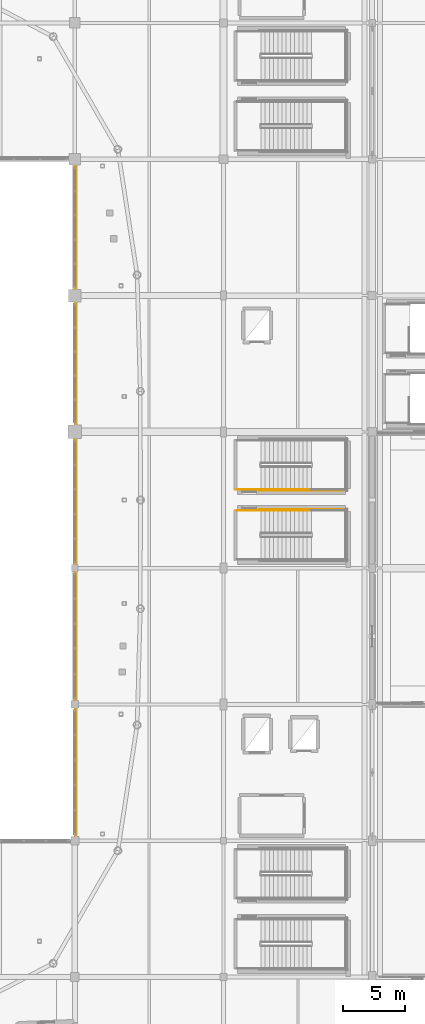
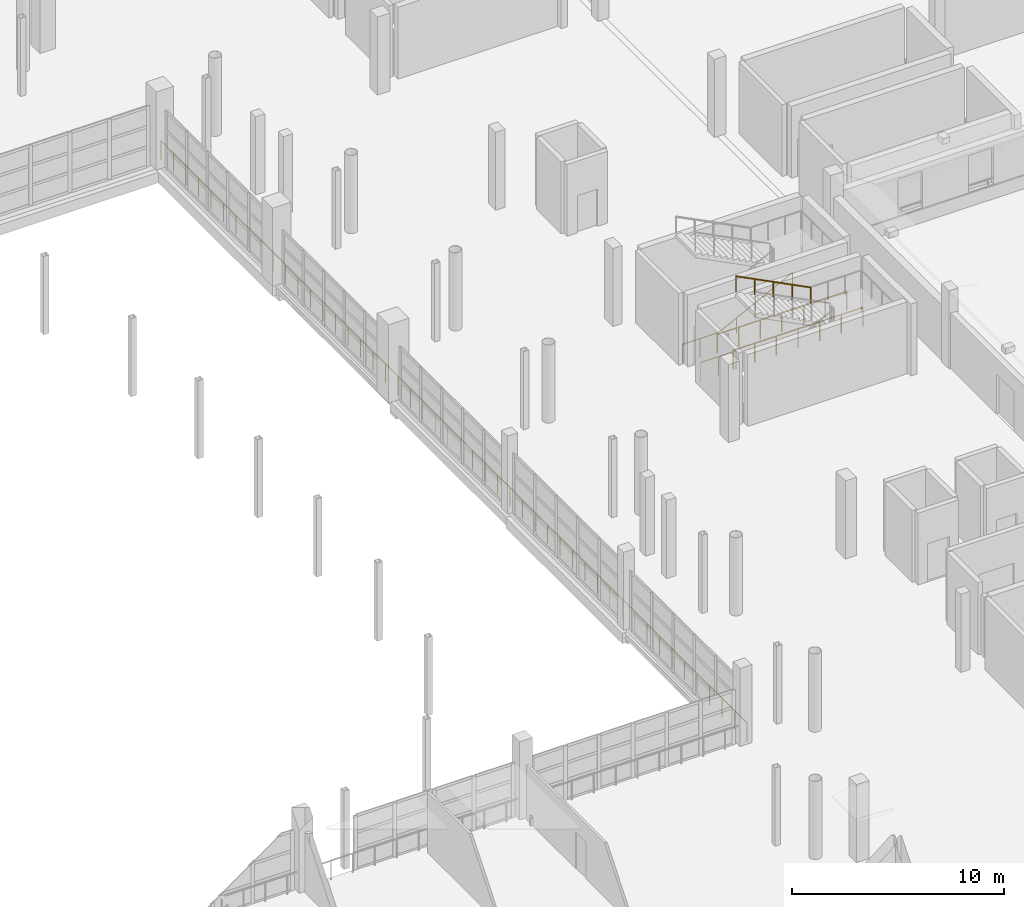
# One storey, part 112 of 118: 7 railings.
"""IFC4 building model written with IfcOpenShell, lengths in metres."""

from ifc_helpers import new_model, si_unit, direction, frame, origin, origin_2d, place, context, subcontext, project, spatial, circle, extrude, material, type_object, element, save


model = new_model("IFC4")

# Units and contexts
model_context = context("Model", 3, precision=1e-05, world=origin(), true_north=direction((0.0, 1.0)))
body_context = subcontext(model_context, "Body", "Model", "MODEL_VIEW")
ifc_project = project(units=[si_unit("LENGTHUNIT", "METRE"), si_unit("AREAUNIT", "SQUARE_METRE"), si_unit("VOLUMEUNIT", "CUBIC_METRE"), si_unit("PLANEANGLEUNIT", "RADIAN"), si_unit("MASSUNIT", "GRAM", prefix="KILO")], contexts=[model_context])

# Site, building, storey
site_placement = place(None, origin())
site = spatial("IfcSite", under=ifc_project, at=site_placement, CompositionType="ELEMENT")
building_placement = place(site_placement, origin())
building = spatial("IfcBuilding", under=site, at=building_placement, Name="Luwafu Chhajja Arena", CompositionType="ELEMENT")
storey_placement = place(building_placement, frame((0.0, 0.0, 10.199951171875)))
storey = spatial("IfcBuildingStorey", under=building, at=storey_placement, Name="L02", CompositionType="ELEMENT", Elevation=10.199951171875)

# Railings
ifc_material_1 = material(Name="Stainless steel balustrade", Category="steel")
railing_type_1 = type_object("IfcRailingType", Name="Seating Bowl Sightline Barrier 1100", PredefinedType="BALUSTRADE", material=ifc_material_1)
railing_1_placement = place(storey_placement, frame((140.14990234375, 21.85009765625, 0.0)))
element("IfcRailing", 1, at=railing_1_placement, inside=storey, type_object=railing_type_1, Name="L02 Bowl Rim Guard 0033", PredefinedType="BALUSTRADE", context=body_context, shape_type="SweptSolid", body=[
    extrude(circle(Radius=0.02392578125, at=origin_2d()), frame((0.0, 0.0, 1.09619140625), z_axis=(0.0, 1.0, 0.0), x_axis=(-1.0, 0.0, 0.0)), (0.0, 0.0, 1.0), 55.2998046875),
    extrude(circle(Radius=0.02099609375, at=origin_2d()), origin(), (0.0, 0.0, 1.0), 1.072021484375),
    extrude(circle(Radius=0.02099609375, at=origin_2d()), frame((0.0, 1.176513671875, 0.0)), (0.0, 0.0, 1.0), 1.072021484375),
    extrude(circle(Radius=0.02099609375, at=origin_2d()), frame((0.0, 2.353271484375, 0.0)), (0.0, 0.0, 1.0), 1.072021484375),
    extrude(circle(Radius=0.02099609375, at=origin_2d()), frame((0.0, 3.52978515625, 0.0)), (0.0, 0.0, 1.0), 1.072021484375),
    extrude(circle(Radius=0.02099609375, at=origin_2d()), frame((0.0, 4.706298828125, 0.0)), (0.0, 0.0, 1.0), 1.072021484375),
    extrude(circle(Radius=0.02099609375, at=origin_2d()), frame((0.0, 5.883056640625, 0.0)), (0.0, 0.0, 1.0), 1.072021484375),
    extrude(circle(Radius=0.02099609375, at=origin_2d()), frame((0.0, 7.0595703125, 0.0)), (0.0, 0.0, 1.0), 1.072021484375),
    extrude(circle(Radius=0.02099609375, at=origin_2d()), frame((0.0, 8.236083984375, 0.0)), (0.0, 0.0, 1.0), 1.072021484375),
    extrude(circle(Radius=0.02099609375, at=origin_2d()), frame((0.0, 9.412841796875, 0.0)), (0.0, 0.0, 1.0), 1.072021484375),
    extrude(circle(Radius=0.02099609375, at=origin_2d()), frame((0.0, 10.58935546875, 0.0)), (0.0, 0.0, 1.0), 1.072021484375),
    extrude(circle(Radius=0.02099609375, at=origin_2d()), frame((0.0, 11.765869140625, 0.0)), (0.0, 0.0, 1.0), 1.072021484375),
    extrude(circle(Radius=0.02099609375, at=origin_2d()), frame((0.0, 12.942626953125, 0.0)), (0.0, 0.0, 1.0), 1.072021484375),
    extrude(circle(Radius=0.02099609375, at=origin_2d()), frame((0.0, 14.119140625, 0.0)), (0.0, 0.0, 1.0), 1.072021484375),
    extrude(circle(Radius=0.02099609375, at=origin_2d()), frame((0.0, 15.295654296875, 0.0)), (0.0, 0.0, 1.0), 1.072021484375),
    extrude(circle(Radius=0.02099609375, at=origin_2d()), frame((0.0, 16.47216796875, 0.0)), (0.0, 0.0, 1.0), 1.072021484375),
    extrude(circle(Radius=0.02099609375, at=origin_2d()), frame((0.0, 17.64892578125, 0.0)), (0.0, 0.0, 1.0), 1.072021484375),
    extrude(circle(Radius=0.02099609375, at=origin_2d()), frame((0.0, 18.825439453125, 0.0)), (0.0, 0.0, 1.0), 1.072021484375),
    extrude(circle(Radius=0.02099609375, at=origin_2d()), frame((0.0, 20.001953125, 0.0)), (0.0, 0.0, 1.0), 1.072021484375),
    extrude(circle(Radius=0.02099609375, at=origin_2d()), frame((0.0, 21.1787109375, 0.0)), (0.0, 0.0, 1.0), 1.072021484375),
    extrude(circle(Radius=0.02099609375, at=origin_2d()), frame((0.0, 22.355224609375, 0.0)), (0.0, 0.0, 1.0), 1.072021484375),
    extrude(circle(Radius=0.02099609375, at=origin_2d()), frame((0.0, 23.53173828125, 0.0)), (0.0, 0.0, 1.0), 1.072021484375),
    extrude(circle(Radius=0.02099609375, at=origin_2d()), frame((0.0, 24.70849609375, 0.0)), (0.0, 0.0, 1.0), 1.072021484375),
    extrude(circle(Radius=0.02099609375, at=origin_2d()), frame((0.0, 25.885009765625, 0.0)), (0.0, 0.0, 1.0), 1.072021484375),
    extrude(circle(Radius=0.02099609375, at=origin_2d()), frame((0.0, 27.0615234375, 0.0)), (0.0, 0.0, 1.0), 1.072021484375),
    extrude(circle(Radius=0.02099609375, at=origin_2d()), frame((0.0, 28.23828125, 0.0)), (0.0, 0.0, 1.0), 1.072021484375),
    extrude(circle(Radius=0.02099609375, at=origin_2d()), frame((0.0, 29.414794921875, 0.0)), (0.0, 0.0, 1.0), 1.072021484375),
    extrude(circle(Radius=0.02099609375, at=origin_2d()), frame((0.0, 30.59130859375, 0.0)), (0.0, 0.0, 1.0), 1.072021484375),
    extrude(circle(Radius=0.02099609375, at=origin_2d()), frame((0.0, 31.76806640625, 0.0)), (0.0, 0.0, 1.0), 1.072021484375),
    extrude(circle(Radius=0.02099609375, at=origin_2d()), frame((0.0, 32.944580078125, 0.0)), (0.0, 0.0, 1.0), 1.072021484375),
    extrude(circle(Radius=0.02099609375, at=origin_2d()), frame((0.0, 34.12109375, 0.0)), (0.0, 0.0, 1.0), 1.072021484375),
    extrude(circle(Radius=0.02099609375, at=origin_2d()), frame((0.0, 35.2978515625, 0.0)), (0.0, 0.0, 1.0), 1.072021484375),
    extrude(circle(Radius=0.02099609375, at=origin_2d()), frame((0.0, 36.474365234375, 0.0)), (0.0, 0.0, 1.0), 1.072021484375),
    extrude(circle(Radius=0.02099609375, at=origin_2d()), frame((0.0, 37.65087890625, 0.0)), (0.0, 0.0, 1.0), 1.072021484375),
    extrude(circle(Radius=0.02099609375, at=origin_2d()), frame((0.0, 38.82763671875, 0.0)), (0.0, 0.0, 1.0), 1.072021484375),
    extrude(circle(Radius=0.02099609375, at=origin_2d()), frame((0.0, 40.004150390625, 0.0)), (0.0, 0.0, 1.0), 1.072021484375),
    extrude(circle(Radius=0.02099609375, at=origin_2d()), frame((0.0, 41.1806640625, 0.0)), (0.0, 0.0, 1.0), 1.072021484375),
    extrude(circle(Radius=0.02099609375, at=origin_2d()), frame((0.0, 42.357177734375, 0.0)), (0.0, 0.0, 1.0), 1.072021484375),
    extrude(circle(Radius=0.02099609375, at=origin_2d()), frame((0.0, 43.533935546875, 0.0)), (0.0, 0.0, 1.0), 1.072021484375),
    extrude(circle(Radius=0.02099609375, at=origin_2d()), frame((0.0, 44.71044921875, 0.0)), (0.0, 0.0, 1.0), 1.072021484375),
    extrude(circle(Radius=0.02099609375, at=origin_2d()), frame((0.0, 45.886962890625, 0.0)), (0.0, 0.0, 1.0), 1.072021484375),
    extrude(circle(Radius=0.02099609375, at=origin_2d()), frame((0.0, 47.063720703125, 0.0)), (0.0, 0.0, 1.0), 1.072021484375),
    extrude(circle(Radius=0.02099609375, at=origin_2d()), frame((0.0, 48.240234375, 0.0)), (0.0, 0.0, 1.0), 1.072021484375),
    extrude(circle(Radius=0.02099609375, at=origin_2d()), frame((0.0, 49.416748046875, 0.0)), (0.0, 0.0, 1.0), 1.072021484375),
    extrude(circle(Radius=0.02099609375, at=origin_2d()), frame((0.0, 50.593505859375, 0.0)), (0.0, 0.0, 1.0), 1.072021484375),
    extrude(circle(Radius=0.02099609375, at=origin_2d()), frame((0.0, 51.77001953125, 0.0)), (0.0, 0.0, 1.0), 1.072021484375),
    extrude(circle(Radius=0.02099609375, at=origin_2d()), frame((0.0, 52.946533203125, 0.0)), (0.0, 0.0, 1.0), 1.072021484375),
    extrude(circle(Radius=0.02099609375, at=origin_2d()), frame((0.0, 54.123291015625, 0.0)), (0.0, 0.0, 1.0), 1.072021484375),
    extrude(circle(Radius=0.02099609375, at=origin_2d()), frame((0.0, 55.2998046875, 0.0)), (0.0, 0.0, 1.0), 1.072021484375),
])
ifc_material_2 = material(Name="Stainless steel handrail", Category="steel")
railing_type_2 = type_object("IfcRailingType", Name="Stair Pitch Wall Handrail 920", PredefinedType="HANDRAIL", material=ifc_material_2)
railing_2_placement = place(storey_placement, frame((159.10009765625, 48.639892578125, 2.423095703125)))
element("IfcRailing", 2, at=railing_2_placement, inside=storey, type_object=railing_type_2, Name="L02 ST-11 stair handrail 2", PredefinedType="HANDRAIL", context=body_context, shape_type="SweptSolid", body=[
    extrude(circle(Radius=0.02392578125, at=origin_2d()), frame((0.0, 0.0, 0.8759765625), z_axis=(-0.891183106714, 0.0, 0.453643770274), x_axis=(0.0, -1.0, 0.0)), (0.0, 0.0, 1.0), 4.578369140625),
    extrude(circle(Radius=0.02099609375, at=origin_2d()), origin(), (0.0, 0.0, 1.0), 0.851806640625),
    extrude(circle(Radius=0.02099609375, at=origin_2d()), frame((-1.02001953125, 0.0, 0.519287109375)), (0.0, 0.0, 1.0), 0.851806640625),
    extrude(circle(Radius=0.02099609375, at=origin_2d()), frame((-2.0400390625, 0.0, 1.03857421875)), (0.0, 0.0, 1.0), 0.851806640625),
    extrude(circle(Radius=0.02099609375, at=origin_2d()), frame((-3.06005859375, 0.0, 1.5576171875)), (0.0, 0.0, 1.0), 0.851806640625),
    extrude(circle(Radius=0.02099609375, at=origin_2d()), frame((-4.080078125, 0.0, 2.076904296875)), (0.0, 0.0, 1.0), 0.851806640625),
])
railing_3_placement = place(storey_placement, frame((155.02001953125, 50.360107421875, 0.173095703125)))
element("IfcRailing", 3, at=railing_3_placement, inside=storey, type_object=railing_type_2, Name="L02 ST-12 stair handrail 1", PredefinedType="HANDRAIL", context=body_context, shape_type="SweptSolid", body=[
    extrude(circle(Radius=0.02392578125, at=origin_2d()), frame((0.0, 0.0, 0.8759765625), z_axis=(0.891183106714, 0.0, 0.453643770274), x_axis=(0.0, 1.0, 0.0)), (0.0, 0.0, 1.0), 4.578369140625),
    extrude(circle(Radius=0.02099609375, at=origin_2d()), origin(), (0.0, 0.0, 1.0), 0.851806640625),
    extrude(circle(Radius=0.02099609375, at=origin_2d()), frame((1.02001953125, 0.0, 0.519287109375)), (0.0, 0.0, 1.0), 0.851806640625),
    extrude(circle(Radius=0.02099609375, at=origin_2d()), frame((2.0400390625, 0.0, 1.03857421875)), (0.0, 0.0, 1.0), 0.851806640625),
    extrude(circle(Radius=0.02099609375, at=origin_2d()), frame((3.06005859375, 0.0, 1.5576171875)), (0.0, 0.0, 1.0), 0.851806640625),
    extrude(circle(Radius=0.02099609375, at=origin_2d()), frame((4.080078125, 0.0, 2.076904296875)), (0.0, 0.0, 1.0), 0.851806640625),
])
railing_type_3 = type_object("IfcRailingType", Name="Stair and Terrace Guard Balustrade 1100", PredefinedType="BALUSTRADE", material=ifc_material_1)
railing_4_placement = place(storey_placement, frame((153.10009765625, 48.639892578125, 0.0)))
element("IfcRailing", 4, at=railing_4_placement, inside=storey, type_object=railing_type_3, Name="L02 ST-11 stair guard 9", PredefinedType="BALUSTRADE", context=body_context, shape_type="SweptSolid", body=[
    extrude(circle(Radius=0.02392578125, at=origin_2d()), frame((0.0, 0.0, 1.076171875), z_axis=(1.0, 0.0, 0.0), x_axis=(0.0, 1.0, 0.0)), (0.0, 0.0, 1.0), 1.919921875),
    extrude(circle(Radius=0.02099609375, at=origin_2d()), origin(), (0.0, 0.0, 1.0), 1.052001953125),
    extrude(circle(Radius=0.02099609375, at=origin_2d()), frame((0.9599609375, 0.0, 0.0)), (0.0, 0.0, 1.0), 1.052001953125),
    extrude(circle(Radius=0.02099609375, at=origin_2d()), frame((1.919921875, 0.0, 0.0)), (0.0, 0.0, 1.0), 1.052001953125),
])
railing_5_placement = place(storey_placement, frame((154.919921875, 48.739990234375, 0.0)))
element("IfcRailing", 5, at=railing_5_placement, inside=storey, type_object=railing_type_3, Name="L02 ST-11 stair guard 11", PredefinedType="BALUSTRADE", context=body_context, shape_type="SweptSolid", body=[
    extrude(circle(Radius=0.02392578125, at=origin_2d()), frame((0.0, 0.0, 1.076171875), z_axis=(1.0, 0.0, 0.0), x_axis=(0.0, 1.0, 0.0)), (0.0, 0.0, 1.0), 7.080078125),
    extrude(circle(Radius=0.02099609375, at=origin_2d()), origin(), (0.0, 0.0, 1.0), 1.052001953125),
    extrude(circle(Radius=0.02099609375, at=origin_2d()), frame((1.179931640625, 0.0, 0.0)), (0.0, 0.0, 1.0), 1.052001953125),
    extrude(circle(Radius=0.02099609375, at=origin_2d()), frame((2.360107421875, 0.0, 0.0)), (0.0, 0.0, 1.0), 1.052001953125),
    extrude(circle(Radius=0.02099609375, at=origin_2d()), frame((3.5400390625, 0.0, 0.0)), (0.0, 0.0, 1.0), 1.052001953125),
    extrude(circle(Radius=0.02099609375, at=origin_2d()), frame((4.719970703125, 0.0, 0.0)), (0.0, 0.0, 1.0), 1.052001953125),
    extrude(circle(Radius=0.02099609375, at=origin_2d()), frame((5.900146484375, 0.0, 0.0)), (0.0, 0.0, 1.0), 1.052001953125),
    extrude(circle(Radius=0.02099609375, at=origin_2d()), frame((7.080078125, 0.0, 0.0)), (0.0, 0.0, 1.0), 1.052001953125),
])
railing_6_placement = place(storey_placement, frame((153.10009765625, 50.360107421875, 0.0)))
element("IfcRailing", 6, at=railing_6_placement, inside=storey, type_object=railing_type_3, Name="L02 ST-12 stair guard 8", PredefinedType="BALUSTRADE", context=body_context, shape_type="SweptSolid", body=[
    extrude(circle(Radius=0.02392578125, at=origin_2d()), frame((0.0, 0.0, 1.076171875), z_axis=(1.0, 0.0, 0.0), x_axis=(0.0, 1.0, 0.0)), (0.0, 0.0, 1.0), 1.919921875),
    extrude(circle(Radius=0.02099609375, at=origin_2d()), origin(), (0.0, 0.0, 1.0), 1.052001953125),
    extrude(circle(Radius=0.02099609375, at=origin_2d()), frame((0.9599609375, 0.0, 0.0)), (0.0, 0.0, 1.0), 1.052001953125),
    extrude(circle(Radius=0.02099609375, at=origin_2d()), frame((1.919921875, 0.0, 0.0)), (0.0, 0.0, 1.0), 1.052001953125),
])
railing_7_placement = place(storey_placement, frame((154.919921875, 50.260009765625, 0.0)))
element("IfcRailing", 7, at=railing_7_placement, inside=storey, type_object=railing_type_3, Name="L02 ST-12 stair guard 10", PredefinedType="BALUSTRADE", context=body_context, shape_type="SweptSolid", body=[
    extrude(circle(Radius=0.02392578125, at=origin_2d()), frame((0.0, 0.0, 1.076171875), z_axis=(1.0, 0.0, 0.0), x_axis=(0.0, 1.0, 0.0)), (0.0, 0.0, 1.0), 7.080078125),
    extrude(circle(Radius=0.02099609375, at=origin_2d()), origin(), (0.0, 0.0, 1.0), 1.052001953125),
    extrude(circle(Radius=0.02099609375, at=origin_2d()), frame((1.179931640625, 0.0, 0.0)), (0.0, 0.0, 1.0), 1.052001953125),
    extrude(circle(Radius=0.02099609375, at=origin_2d()), frame((2.360107421875, 0.0, 0.0)), (0.0, 0.0, 1.0), 1.052001953125),
    extrude(circle(Radius=0.02099609375, at=origin_2d()), frame((3.5400390625, 0.0, 0.0)), (0.0, 0.0, 1.0), 1.052001953125),
    extrude(circle(Radius=0.02099609375, at=origin_2d()), frame((4.719970703125, 0.0, 0.0)), (0.0, 0.0, 1.0), 1.052001953125),
    extrude(circle(Radius=0.02099609375, at=origin_2d()), frame((5.900146484375, 0.0, 0.0)), (0.0, 0.0, 1.0), 1.052001953125),
    extrude(circle(Radius=0.02099609375, at=origin_2d()), frame((7.080078125, 0.0, 0.0)), (0.0, 0.0, 1.0), 1.052001953125),
])

save(model, "model.ifc")
